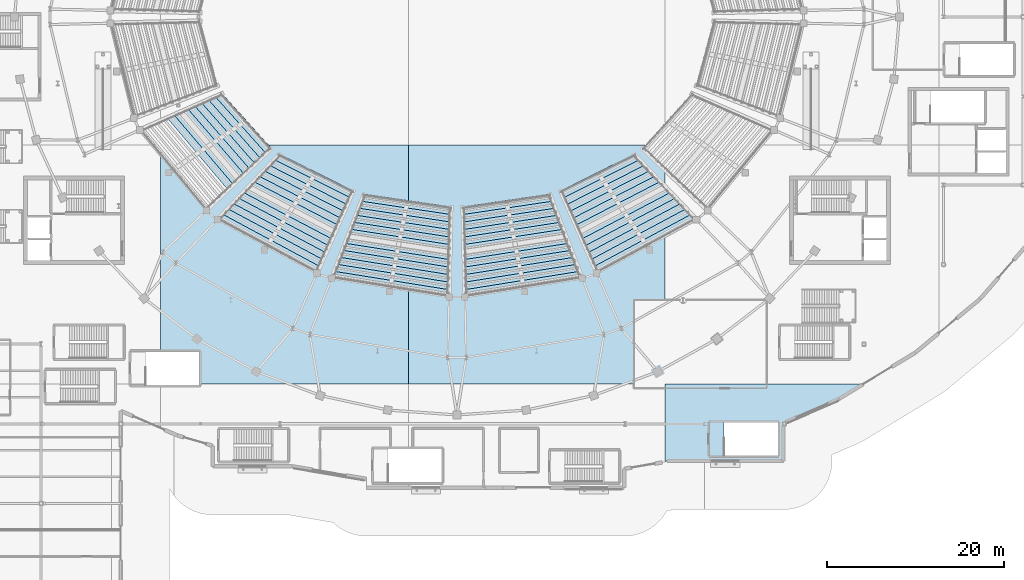
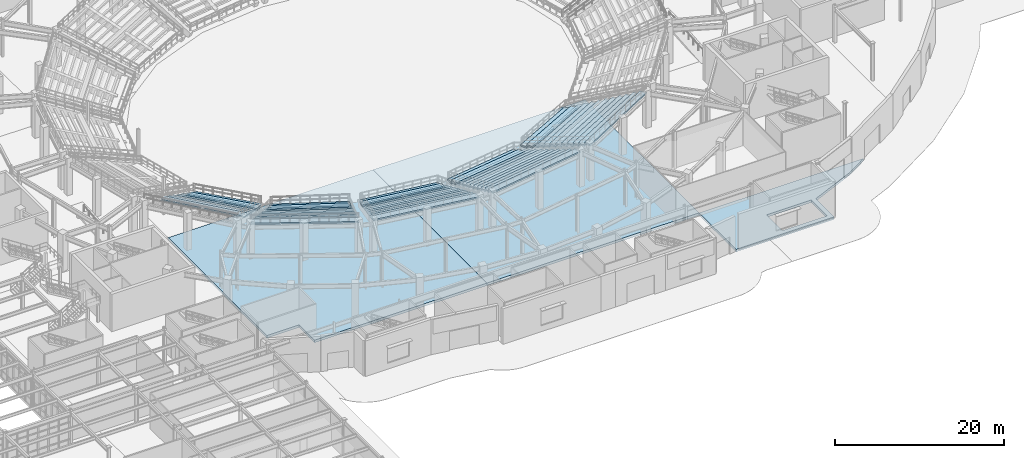
# One storey, part 43 of 79: 59 slabs.
"""IFC4 building model written with IfcOpenShell, lengths in metres."""

from ifc_helpers import new_model, si_unit, direction, frame, origin, place, context, subcontext, project, spatial, polyline, outline, extrude, material, layer, layer_set, type_object, element, save


model = new_model("IFC4")

# Units and contexts
model_context = context("Model", 3, precision=1e-05, world=origin(), true_north=direction((0.0, 1.0)))
body_context = subcontext(model_context, "Body", "Model", "MODEL_VIEW")
ifc_project = project(units=[si_unit("LENGTHUNIT", "METRE"), si_unit("AREAUNIT", "SQUARE_METRE"), si_unit("VOLUMEUNIT", "CUBIC_METRE"), si_unit("PLANEANGLEUNIT", "RADIAN"), si_unit("MASSUNIT", "GRAM", prefix="KILO")], contexts=[model_context])

# Site, building, storey
site_placement = place(None, origin())
site = spatial("IfcSite", under=ifc_project, at=site_placement, CompositionType="ELEMENT")
building_placement = place(site_placement, origin())
building = spatial("IfcBuilding", under=site, at=building_placement, Name="Glasvene Arena", CompositionType="ELEMENT")
storey_placement = place(building_placement, origin())
storey = spatial("IfcBuildingStorey", under=building, at=storey_placement, Name="L00", CompositionType="ELEMENT", Elevation=0.0)

# Slabs
ifc_material_1 = material(Name="Concrete C40/50", Category="concrete")
ifc_layer_1 = layer(ifc_material_1, 0.360107421875)
ifc_layer_set_1 = layer_set([ifc_layer_1], Name="Concrete C40/50")
slab_type_1 = type_object("IfcSlabType", Name="SL-L00-360", PredefinedType="FLOOR", material=ifc_layer_set_1)
slab_1_placement = place(storey_placement, frame((125.3896484375, 26.900390625, -0.360107421875)))
element("IfcSlab", 1, at=slab_1_placement, inside=storey, type_object=slab_type_1, Name="Structural floor slab L00 sector 1-5 (20)", PredefinedType="FLOOR", context=body_context, shape_type="SweptSolid", body=[
    extrude(outline(polyline([(3.51025390625, 0.21484375), (3.51025390625, -4.100341796875), (-9.636962890625, -4.100341796875), (-9.8896484375, -4.174560546875), (-9.8896484375, 4.599609375), (12.553466796875, 4.599609375), (9.8427734375, 2.961181640625), (3.51025390625, 0.21484375)]), holes=[polyline([(2.910400390625, -3.50048828125), (2.910400390625, 0.24951171875), (-3.187744140625, 0.24951171875), (-3.187744140625, -3.50048828125), (2.910400390625, -3.50048828125)])]), origin(), (0.0, 0.0, 1.0), 0.360107421875),
])
slab_2_placement = place(storey_placement, frame((69.300048828125, 41.716552734375, -0.360107421875)))
element("IfcSlab", 2, at=slab_2_placement, inside=storey, type_object=slab_type_1, Name="Structural floor slab L00 sector 2-3 (23)", PredefinedType="FLOOR", context=body_context, shape_type="SweptSolid", body=[
    extrude(outline(polyline([(-10.800048828125, 16.783447265625), (17.199951171875, 16.783447265625), (17.199951171875, -10.216552734375), (-6.400146484375, -10.216552734375), (-6.400146484375, -6.566650390625), (-10.800048828125, -6.566650390625), (-10.800048828125, 16.783447265625)])), origin(), (0.0, 0.0, 1.0), 0.360107421875),
])
slab_3_placement = place(storey_placement, frame((101.0, 45.0, -0.360107421875)))
element("IfcSlab", 3, at=slab_3_placement, inside=storey, type_object=slab_type_1, Name="Structural floor slab L00 sector 2-4 (24)", PredefinedType="FLOOR", context=body_context, shape_type="SweptSolid", body=[
    extrude(outline(polyline([(-14.5, -13.5), (-14.5, 13.5), (14.5, 13.5), (14.5, -13.5), (-14.5, -13.5)])), origin(), (0.0, 0.0, 1.0), 0.360107421875),
])
ifc_material_2 = material(Name="Precast concrete C50/60", Category="concrete")
ifc_layer_2 = layer(ifc_material_2, 0.219970703125)
ifc_layer_set_2 = layer_set([ifc_layer_2], Name="Precast concrete C50/60")
slab_type_2 = type_object("IfcSlabType", Name="SL-TIER-LOW", PredefinedType="USERDEFINED", material=ifc_layer_set_2)
slab_4_placement = place(storey_placement, frame((67.902099609375, 61.00244140625, 0.5400390625)))
element("IfcSlab", 4, at=slab_4_placement, inside=storey, type_object=slab_type_2, Name="Stand lower tier sector 10 row 01", ObjectType="SEATING TIER", PredefinedType="USERDEFINED", context=body_context, shape_type="SweptSolid", body=[
    extrude(outline(polyline([(-2.435791015625, 3.3212890625), (3.1318359375, -2.8564453125), (2.517333984375, -3.443603515625), (-3.213623046875, 2.978271484375), (-2.435791015625, 3.3212890625)])), origin(), (0.0, 0.0, 1.0), 0.219970703125),
])
slab_5_placement = place(storey_placement, frame((67.205810546875, 60.537109375, 0.919921875)))
element("IfcSlab", 5, at=slab_5_placement, inside=storey, type_object=slab_type_2, Name="Stand lower tier sector 10 row 02", ObjectType="SEATING TIER", PredefinedType="USERDEFINED", context=body_context, shape_type="SweptSolid", body=[
    extrude(outline(polyline([(-2.517333984375, 3.443603515625), (3.213623046875, -2.978271484375), (2.59912109375, -3.565673828125), (-3.295166015625, 3.1005859375), (-2.517333984375, 3.443603515625)])), origin(), (0.0, 0.0, 1.0), 0.219970703125),
])
slab_6_placement = place(storey_placement, frame((66.509765625, 60.072021484375, 1.300048828125)))
element("IfcSlab", 6, at=slab_6_placement, inside=storey, type_object=slab_type_2, Name="Stand lower tier sector 10 row 03", ObjectType="SEATING TIER", PredefinedType="USERDEFINED", context=body_context, shape_type="SweptSolid", body=[
    extrude(outline(polyline([(-2.59912109375, 3.565673828125), (3.295166015625, -3.1005859375), (2.6806640625, -3.687744140625), (-3.376708984375, 3.22265625), (-2.59912109375, 3.565673828125)])), origin(), (0.0, 0.0, 1.0), 0.219970703125),
])
slab_7_placement = place(storey_placement, frame((65.813720703125, 59.60693359375, 1.679931640625)))
element("IfcSlab", 7, at=slab_7_placement, inside=storey, type_object=slab_type_2, Name="Stand lower tier sector 10 row 04", ObjectType="SEATING TIER", PredefinedType="USERDEFINED", context=body_context, shape_type="SweptSolid", body=[
    extrude(outline(polyline([(-2.6806640625, 3.687744140625), (3.376708984375, -3.22265625), (2.76220703125, -3.809814453125), (-3.45849609375, 3.3447265625), (-2.6806640625, 3.687744140625)])), origin(), (0.0, 0.0, 1.0), 0.219970703125),
])
slab_8_placement = place(storey_placement, frame((65.117431640625, 59.141845703125, 2.06005859375)))
element("IfcSlab", 8, at=slab_8_placement, inside=storey, type_object=slab_type_2, Name="Stand lower tier sector 10 row 05", ObjectType="SEATING TIER", PredefinedType="USERDEFINED", context=body_context, shape_type="SweptSolid", body=[
    extrude(outline(polyline([(-2.76220703125, 3.809814453125), (3.45849609375, -3.3447265625), (2.84375, -3.93212890625), (-3.539794921875, 3.466796875), (-2.76220703125, 3.809814453125)])), origin(), (0.0, 0.0, 1.0), 0.219970703125),
])
slab_9_placement = place(storey_placement, frame((64.42138671875, 58.6767578125, 2.43994140625)))
element("IfcSlab", 9, at=slab_9_placement, inside=storey, type_object=slab_type_2, Name="Stand lower tier sector 10 row 06", ObjectType="SEATING TIER", PredefinedType="USERDEFINED", context=body_context, shape_type="SweptSolid", body=[
    extrude(outline(polyline([(-2.84375, 3.931884765625), (3.539794921875, -3.467041015625), (2.92529296875, -4.05419921875), (-3.62158203125, 3.5888671875), (-2.84375, 3.931884765625)])), origin(), (0.0, 0.0, 1.0), 0.219970703125),
])
slab_10_placement = place(storey_placement, frame((63.725341796875, 58.211669921875, 2.820068359375)))
element("IfcSlab", 10, at=slab_10_placement, inside=storey, type_object=slab_type_2, Name="Stand lower tier sector 10 row 07", ObjectType="SEATING TIER", PredefinedType="USERDEFINED", context=body_context, shape_type="SweptSolid", body=[
    extrude(outline(polyline([(-2.925537109375, 4.053955078125), (3.621337890625, -3.589111328125), (3.007080078125, -4.17626953125), (-3.703125, 3.7109375), (-2.925537109375, 4.053955078125)])), origin(), (0.0, 0.0, 1.0), 0.219970703125),
])
slab_11_placement = place(storey_placement, frame((63.029296875, 57.746337890625, 3.199951171875)))
element("IfcSlab", 11, at=slab_11_placement, inside=storey, type_object=slab_type_2, Name="Stand lower tier sector 10 row 08", ObjectType="SEATING TIER", PredefinedType="USERDEFINED", context=body_context, shape_type="SweptSolid", body=[
    extrude(outline(polyline([(-3.007080078125, 4.17626953125), (3.703125, -3.7109375), (3.088623046875, -4.29833984375), (-3.784912109375, 3.833251953125), (-3.007080078125, 4.17626953125)])), origin(), (0.0, 0.0, 1.0), 0.219970703125),
])
slab_12_placement = place(storey_placement, frame((75.898193359375, 55.044189453125, 0.5400390625)))
element("IfcSlab", 12, at=slab_12_placement, inside=storey, type_object=slab_type_2, Name="Stand lower tier sector 11 row 01", ObjectType="SEATING TIER", PredefinedType="USERDEFINED", context=body_context, shape_type="SweptSolid", body=[
    extrude(outline(polyline([(-3.933837890625, 2.412109375), (4.39892578125, -1.7158203125), (4.055908203125, -2.493408203125), (-4.52099609375, 1.797607421875), (-3.933837890625, 2.412109375)])), origin(), (0.0, 0.0, 1.0), 0.219970703125),
])
slab_13_placement = place(storey_placement, frame((75.43310546875, 54.34814453125, 0.919921875)))
element("IfcSlab", 13, at=slab_13_placement, inside=storey, type_object=slab_type_2, Name="Stand lower tier sector 11 row 02", ObjectType="SEATING TIER", PredefinedType="USERDEFINED", context=body_context, shape_type="SweptSolid", body=[
    extrude(outline(polyline([(-4.055908203125, 2.49365234375), (4.52099609375, -1.79736328125), (4.177978515625, -2.5751953125), (-4.643310546875, 1.879150390625), (-4.055908203125, 2.49365234375)])), origin(), (0.0, 0.0, 1.0), 0.219970703125),
])
slab_14_placement = place(storey_placement, frame((74.968017578125, 53.65185546875, 1.300048828125)))
element("IfcSlab", 14, at=slab_14_placement, inside=storey, type_object=slab_type_2, Name="Stand lower tier sector 11 row 03", ObjectType="SEATING TIER", PredefinedType="USERDEFINED", context=body_context, shape_type="SweptSolid", body=[
    extrude(outline(polyline([(-4.17822265625, 2.575439453125), (4.64306640625, -1.87890625), (4.300048828125, -2.65673828125), (-4.765380859375, 1.960693359375), (-4.17822265625, 2.575439453125)])), origin(), (0.0, 0.0, 1.0), 0.219970703125),
])
slab_15_placement = place(storey_placement, frame((74.5029296875, 52.955810546875, 1.679931640625)))
element("IfcSlab", 15, at=slab_15_placement, inside=storey, type_object=slab_type_2, Name="Stand lower tier sector 11 row 04", ObjectType="SEATING TIER", PredefinedType="USERDEFINED", context=body_context, shape_type="SweptSolid", body=[
    extrude(outline(polyline([(-4.30029296875, 2.65673828125), (4.76513671875, -1.960693359375), (4.422119140625, -2.73828125), (-4.887451171875, 2.042236328125), (-4.30029296875, 2.65673828125)])), origin(), (0.0, 0.0, 1.0), 0.219970703125),
])
slab_16_placement = place(storey_placement, frame((74.03759765625, 52.259765625, 2.06005859375)))
element("IfcSlab", 16, at=slab_16_placement, inside=storey, type_object=slab_type_2, Name="Stand lower tier sector 11 row 05", ObjectType="SEATING TIER", PredefinedType="USERDEFINED", context=body_context, shape_type="SweptSolid", body=[
    extrude(outline(polyline([(-4.422119140625, 2.73828125), (4.887451171875, -2.042236328125), (4.54443359375, -2.820068359375), (-5.00927734375, 2.123779296875), (-4.422119140625, 2.73828125)])), origin(), (0.0, 0.0, 1.0), 0.219970703125),
])
slab_17_placement = place(storey_placement, frame((73.572509765625, 51.563720703125, 2.43994140625)))
element("IfcSlab", 17, at=slab_17_placement, inside=storey, type_object=slab_type_2, Name="Stand lower tier sector 11 row 06", ObjectType="SEATING TIER", PredefinedType="USERDEFINED", context=body_context, shape_type="SweptSolid", body=[
    extrude(outline(polyline([(-4.544189453125, 2.81982421875), (5.009521484375, -2.1240234375), (4.66650390625, -2.901611328125), (-5.131591796875, 2.205322265625), (-4.544189453125, 2.81982421875)])), origin(), (0.0, 0.0, 1.0), 0.219970703125),
])
slab_18_placement = place(storey_placement, frame((73.107421875, 50.867431640625, 2.820068359375)))
element("IfcSlab", 18, at=slab_18_placement, inside=storey, type_object=slab_type_2, Name="Stand lower tier sector 11 row 07", ObjectType="SEATING TIER", PredefinedType="USERDEFINED", context=body_context, shape_type="SweptSolid", body=[
    extrude(outline(polyline([(-4.66650390625, 2.901611328125), (5.131591796875, -2.205322265625), (4.78857421875, -2.98291015625), (-5.253662109375, 2.287109375), (-4.66650390625, 2.901611328125)])), origin(), (0.0, 0.0, 1.0), 0.219970703125),
])
slab_19_placement = place(storey_placement, frame((72.642333984375, 50.17138671875, 3.199951171875)))
element("IfcSlab", 19, at=slab_19_placement, inside=storey, type_object=slab_type_2, Name="Stand lower tier sector 11 row 08", ObjectType="SEATING TIER", PredefinedType="USERDEFINED", context=body_context, shape_type="SweptSolid", body=[
    extrude(outline(polyline([(-4.78857421875, 2.983154296875), (5.253662109375, -2.286865234375), (4.91064453125, -3.064697265625), (-5.3759765625, 2.36865234375), (-4.78857421875, 2.983154296875)])), origin(), (0.0, 0.0, 1.0), 0.219970703125),
])
slab_20_placement = place(storey_placement, frame((72.17724609375, 49.475341796875, 3.580078125)))
element("IfcSlab", 20, at=slab_20_placement, inside=storey, type_object=slab_type_2, Name="Stand lower tier sector 11 row 09", ObjectType="SEATING TIER", PredefinedType="USERDEFINED", context=body_context, shape_type="SweptSolid", body=[
    extrude(outline(polyline([(-4.910888671875, 3.064697265625), (5.375732421875, -2.36865234375), (5.032958984375, -3.146484375), (-5.498046875, 2.4501953125), (-4.910888671875, 3.064697265625)])), origin(), (0.0, 0.0, 1.0), 0.219970703125),
])
slab_21_placement = place(storey_placement, frame((71.712158203125, 48.779052734375, 3.9599609375)))
element("IfcSlab", 21, at=slab_21_placement, inside=storey, type_object=slab_type_2, Name="Stand lower tier sector 11 row 10", ObjectType="SEATING TIER", PredefinedType="USERDEFINED", context=body_context, shape_type="SweptSolid", body=[
    extrude(outline(polyline([(-5.032958984375, 3.146484375), (5.498046875, -2.4501953125), (5.155029296875, -3.227783203125), (-5.620361328125, 2.531982421875), (-5.032958984375, 3.146484375)])), origin(), (0.0, 0.0, 1.0), 0.219970703125),
])
slab_22_placement = place(storey_placement, frame((71.246826171875, 48.0830078125, 4.340087890625)))
element("IfcSlab", 22, at=slab_22_placement, inside=storey, type_object=slab_type_2, Name="Stand lower tier sector 11 row 11", ObjectType="SEATING TIER", PredefinedType="USERDEFINED", context=body_context, shape_type="SweptSolid", body=[
    extrude(outline(polyline([(-5.155029296875, 3.22802734375), (5.620361328125, -2.53173828125), (5.277099609375, -3.3095703125), (-5.7421875, 2.613525390625), (-5.155029296875, 3.22802734375)])), origin(), (0.0, 0.0, 1.0), 0.219970703125),
])
slab_23_placement = place(storey_placement, frame((70.78173828125, 47.386962890625, 4.719970703125)))
element("IfcSlab", 23, at=slab_23_placement, inside=storey, type_object=slab_type_2, Name="Stand lower tier sector 11 row 12", ObjectType="SEATING TIER", PredefinedType="USERDEFINED", context=body_context, shape_type="SweptSolid", body=[
    extrude(outline(polyline([(-5.277099609375, 3.3095703125), (5.7421875, -2.613525390625), (5.399169921875, -3.39111328125), (-5.8642578125, 2.69482421875), (-5.277099609375, 3.3095703125)])), origin(), (0.0, 0.0, 1.0), 0.219970703125),
])
slab_24_placement = place(storey_placement, frame((86.345703125, 51.81982421875, 0.5400390625)))
element("IfcSlab", 24, at=slab_24_placement, inside=storey, type_object=slab_type_2, Name="Stand lower tier sector 12 row 01", ObjectType="SEATING TIER", PredefinedType="USERDEFINED", context=body_context, shape_type="SweptSolid", body=[
    extrude(outline(polyline([(-4.832763671875, 1.13525390625), (4.996337890625, -0.314208984375), (4.97705078125, -1.1640625), (-5.14013671875, 0.3427734375), (-4.832763671875, 1.13525390625)])), origin(), (0.0, 0.0, 1.0), 0.219970703125),
])
slab_25_placement = place(storey_placement, frame((86.182373046875, 50.99853515625, 0.919921875)))
element("IfcSlab", 25, at=slab_25_placement, inside=storey, type_object=slab_type_2, Name="Stand lower tier sector 12 row 02", ObjectType="SEATING TIER", PredefinedType="USERDEFINED", context=body_context, shape_type="SweptSolid", body=[
    extrude(outline(polyline([(-4.976806640625, 1.1640625), (5.140380859375, -0.3427734375), (5.12109375, -1.192626953125), (-5.2841796875, 0.37158203125), (-4.976806640625, 1.1640625)])), origin(), (0.0, 0.0, 1.0), 0.219970703125),
])
slab_26_placement = place(storey_placement, frame((86.01904296875, 50.177490234375, 1.300048828125)))
element("IfcSlab", 26, at=slab_26_placement, inside=storey, type_object=slab_type_2, Name="Stand lower tier sector 12 row 03", ObjectType="SEATING TIER", PredefinedType="USERDEFINED", context=body_context, shape_type="SweptSolid", body=[
    extrude(outline(polyline([(-5.120849609375, 1.192626953125), (5.284423828125, -0.37158203125), (5.26513671875, -1.22119140625), (-5.42822265625, 0.400146484375), (-5.120849609375, 1.192626953125)])), origin(), (0.0, 0.0, 1.0), 0.219970703125),
])
slab_27_placement = place(storey_placement, frame((85.855712890625, 49.3564453125, 1.679931640625)))
element("IfcSlab", 27, at=slab_27_placement, inside=storey, type_object=slab_type_2, Name="Stand lower tier sector 12 row 04", ObjectType="SEATING TIER", PredefinedType="USERDEFINED", context=body_context, shape_type="SweptSolid", body=[
    extrude(outline(polyline([(-5.264892578125, 1.22119140625), (5.428466796875, -0.400146484375), (5.4091796875, -1.25), (-5.572265625, 0.4287109375), (-5.264892578125, 1.22119140625)])), origin(), (0.0, 0.0, 1.0), 0.219970703125),
])
slab_28_placement = place(storey_placement, frame((85.6923828125, 48.53515625, 2.06005859375)))
element("IfcSlab", 28, at=slab_28_placement, inside=storey, type_object=slab_type_2, Name="Stand lower tier sector 12 row 05", ObjectType="SEATING TIER", PredefinedType="USERDEFINED", context=body_context, shape_type="SweptSolid", body=[
    extrude(outline(polyline([(-5.408935546875, 1.25), (5.572509765625, -0.4287109375), (5.55322265625, -1.278564453125), (-5.71630859375, 0.45751953125), (-5.408935546875, 1.25)])), origin(), (0.0, 0.0, 1.0), 0.219970703125),
])
slab_29_placement = place(storey_placement, frame((85.529052734375, 47.714111328125, 2.43994140625)))
element("IfcSlab", 29, at=slab_29_placement, inside=storey, type_object=slab_type_2, Name="Stand lower tier sector 12 row 06", ObjectType="SEATING TIER", PredefinedType="USERDEFINED", context=body_context, shape_type="SweptSolid", body=[
    extrude(outline(polyline([(-5.552978515625, 1.278564453125), (5.716552734375, -0.45751953125), (5.697265625, -1.307373046875), (-5.8603515625, 0.486083984375), (-5.552978515625, 1.278564453125)])), origin(), (0.0, 0.0, 1.0), 0.219970703125),
])
slab_30_placement = place(storey_placement, frame((85.36572265625, 46.89306640625, 2.820068359375)))
element("IfcSlab", 30, at=slab_30_placement, inside=storey, type_object=slab_type_2, Name="Stand lower tier sector 12 row 07", ObjectType="SEATING TIER", PredefinedType="USERDEFINED", context=body_context, shape_type="SweptSolid", body=[
    extrude(outline(polyline([(-5.697021484375, 1.30712890625), (5.860595703125, -0.486328125), (5.84130859375, -1.3359375), (-6.004638671875, 0.5146484375), (-5.697021484375, 1.30712890625)])), origin(), (0.0, 0.0, 1.0), 0.219970703125),
])
slab_31_placement = place(storey_placement, frame((85.202392578125, 46.07177734375, 3.199951171875)))
element("IfcSlab", 31, at=slab_31_placement, inside=storey, type_object=slab_type_2, Name="Stand lower tier sector 12 row 08", ObjectType="SEATING TIER", PredefinedType="USERDEFINED", context=body_context, shape_type="SweptSolid", body=[
    extrude(outline(polyline([(-5.84130859375, 1.3359375), (6.004638671875, -0.5146484375), (5.9853515625, -1.364501953125), (-6.148681640625, 0.54345703125), (-5.84130859375, 1.3359375)])), origin(), (0.0, 0.0, 1.0), 0.219970703125),
])
slab_32_placement = place(storey_placement, frame((85.0390625, 45.250732421875, 3.580078125)))
element("IfcSlab", 32, at=slab_32_placement, inside=storey, type_object=slab_type_2, Name="Stand lower tier sector 12 row 09", ObjectType="SEATING TIER", PredefinedType="USERDEFINED", context=body_context, shape_type="SweptSolid", body=[
    extrude(outline(polyline([(-5.9853515625, 1.364501953125), (6.148681640625, -0.54345703125), (6.12939453125, -1.393310546875), (-6.29248046875, 0.572021484375), (-5.9853515625, 1.364501953125)])), origin(), (0.0, 0.0, 1.0), 0.219970703125),
])
slab_33_placement = place(storey_placement, frame((84.875732421875, 44.4296875, 3.9599609375)))
element("IfcSlab", 33, at=slab_33_placement, inside=storey, type_object=slab_type_2, Name="Stand lower tier sector 12 row 10", ObjectType="SEATING TIER", PredefinedType="USERDEFINED", context=body_context, shape_type="SweptSolid", body=[
    extrude(outline(polyline([(-6.129150390625, 1.39306640625), (6.292724609375, -0.572265625), (6.2734375, -1.421875), (-6.4365234375, 0.6005859375), (-6.129150390625, 1.39306640625)])), origin(), (0.0, 0.0, 1.0), 0.219970703125),
])
slab_34_placement = place(storey_placement, frame((84.71240234375, 43.6083984375, 4.340087890625)))
element("IfcSlab", 34, at=slab_34_placement, inside=storey, type_object=slab_type_2, Name="Stand lower tier sector 12 row 11", ObjectType="SEATING TIER", PredefinedType="USERDEFINED", context=body_context, shape_type="SweptSolid", body=[
    extrude(outline(polyline([(-6.273193359375, 1.421875), (6.436767578125, -0.6005859375), (6.41748046875, -1.450439453125), (-6.580810546875, 0.62939453125), (-6.273193359375, 1.421875)])), origin(), (0.0, 0.0, 1.0), 0.219970703125),
])
slab_35_placement = place(storey_placement, frame((84.549072265625, 42.787353515625, 4.719970703125)))
element("IfcSlab", 35, at=slab_35_placement, inside=storey, type_object=slab_type_2, Name="Stand lower tier sector 12 row 12", ObjectType="SEATING TIER", PredefinedType="USERDEFINED", context=body_context, shape_type="SweptSolid", body=[
    extrude(outline(polyline([(-6.41748046875, 1.450439453125), (6.580810546875, -0.62939453125), (6.5615234375, -1.479248046875), (-6.724853515625, 0.657958984375), (-6.41748046875, 1.450439453125)])), origin(), (0.0, 0.0, 1.0), 0.219970703125),
])
slab_36_placement = place(storey_placement, frame((97.654296875, 51.81982421875, 0.5400390625)))
element("IfcSlab", 36, at=slab_36_placement, inside=storey, type_object=slab_type_2, Name="Stand lower tier sector 13 row 01", ObjectType="SEATING TIER", PredefinedType="USERDEFINED", context=body_context, shape_type="SweptSolid", body=[
    extrude(outline(polyline([(-4.996337890625, -0.314208984375), (4.832763671875, 1.13525390625), (5.14013671875, 0.3427734375), (-4.97705078125, -1.1640625), (-4.996337890625, -0.314208984375)])), origin(), (0.0, 0.0, 1.0), 0.219970703125),
])
slab_37_placement = place(storey_placement, frame((97.817626953125, 50.99853515625, 0.919921875)))
element("IfcSlab", 37, at=slab_37_placement, inside=storey, type_object=slab_type_2, Name="Stand lower tier sector 13 row 02", ObjectType="SEATING TIER", PredefinedType="USERDEFINED", context=body_context, shape_type="SweptSolid", body=[
    extrude(outline(polyline([(-5.140380859375, -0.3427734375), (4.976806640625, 1.1640625), (5.2841796875, 0.37158203125), (-5.12109375, -1.192626953125), (-5.140380859375, -0.3427734375)])), origin(), (0.0, 0.0, 1.0), 0.219970703125),
])
slab_38_placement = place(storey_placement, frame((97.98095703125, 50.177490234375, 1.300048828125)))
element("IfcSlab", 38, at=slab_38_placement, inside=storey, type_object=slab_type_2, Name="Stand lower tier sector 13 row 03", ObjectType="SEATING TIER", PredefinedType="USERDEFINED", context=body_context, shape_type="SweptSolid", body=[
    extrude(outline(polyline([(-5.284423828125, -0.37158203125), (5.120849609375, 1.192626953125), (5.42822265625, 0.400146484375), (-5.26513671875, -1.22119140625), (-5.284423828125, -0.37158203125)])), origin(), (0.0, 0.0, 1.0), 0.219970703125),
])
slab_39_placement = place(storey_placement, frame((98.144287109375, 49.3564453125, 1.679931640625)))
element("IfcSlab", 39, at=slab_39_placement, inside=storey, type_object=slab_type_2, Name="Stand lower tier sector 13 row 04", ObjectType="SEATING TIER", PredefinedType="USERDEFINED", context=body_context, shape_type="SweptSolid", body=[
    extrude(outline(polyline([(-5.428466796875, -0.400146484375), (5.264892578125, 1.22119140625), (5.572265625, 0.4287109375), (-5.4091796875, -1.25), (-5.428466796875, -0.400146484375)])), origin(), (0.0, 0.0, 1.0), 0.219970703125),
])
slab_40_placement = place(storey_placement, frame((98.3076171875, 48.53515625, 2.06005859375)))
element("IfcSlab", 40, at=slab_40_placement, inside=storey, type_object=slab_type_2, Name="Stand lower tier sector 13 row 05", ObjectType="SEATING TIER", PredefinedType="USERDEFINED", context=body_context, shape_type="SweptSolid", body=[
    extrude(outline(polyline([(-5.572509765625, -0.4287109375), (5.408935546875, 1.25), (5.71630859375, 0.45751953125), (-5.55322265625, -1.278564453125), (-5.572509765625, -0.4287109375)])), origin(), (0.0, 0.0, 1.0), 0.219970703125),
])
slab_41_placement = place(storey_placement, frame((98.470947265625, 47.714111328125, 2.43994140625)))
element("IfcSlab", 41, at=slab_41_placement, inside=storey, type_object=slab_type_2, Name="Stand lower tier sector 13 row 06", ObjectType="SEATING TIER", PredefinedType="USERDEFINED", context=body_context, shape_type="SweptSolid", body=[
    extrude(outline(polyline([(-5.716552734375, -0.45751953125), (5.552978515625, 1.278564453125), (5.8603515625, 0.486083984375), (-5.697265625, -1.307373046875), (-5.716552734375, -0.45751953125)])), origin(), (0.0, 0.0, 1.0), 0.219970703125),
])
slab_42_placement = place(storey_placement, frame((98.63427734375, 46.89306640625, 2.820068359375)))
element("IfcSlab", 42, at=slab_42_placement, inside=storey, type_object=slab_type_2, Name="Stand lower tier sector 13 row 07", ObjectType="SEATING TIER", PredefinedType="USERDEFINED", context=body_context, shape_type="SweptSolid", body=[
    extrude(outline(polyline([(-5.860595703125, -0.486328125), (5.697021484375, 1.30712890625), (6.004638671875, 0.5146484375), (-5.84130859375, -1.3359375), (-5.860595703125, -0.486328125)])), origin(), (0.0, 0.0, 1.0), 0.219970703125),
])
slab_43_placement = place(storey_placement, frame((98.797607421875, 46.07177734375, 3.199951171875)))
element("IfcSlab", 43, at=slab_43_placement, inside=storey, type_object=slab_type_2, Name="Stand lower tier sector 13 row 08", ObjectType="SEATING TIER", PredefinedType="USERDEFINED", context=body_context, shape_type="SweptSolid", body=[
    extrude(outline(polyline([(-6.004638671875, -0.5146484375), (5.84130859375, 1.3359375), (6.148681640625, 0.54345703125), (-5.9853515625, -1.364501953125), (-6.004638671875, -0.5146484375)])), origin(), (0.0, 0.0, 1.0), 0.219970703125),
])
slab_44_placement = place(storey_placement, frame((98.9609375, 45.250732421875, 3.580078125)))
element("IfcSlab", 44, at=slab_44_placement, inside=storey, type_object=slab_type_2, Name="Stand lower tier sector 13 row 09", ObjectType="SEATING TIER", PredefinedType="USERDEFINED", context=body_context, shape_type="SweptSolid", body=[
    extrude(outline(polyline([(-6.148681640625, -0.54345703125), (5.9853515625, 1.364501953125), (6.29248046875, 0.572021484375), (-6.12939453125, -1.393310546875), (-6.148681640625, -0.54345703125)])), origin(), (0.0, 0.0, 1.0), 0.219970703125),
])
slab_45_placement = place(storey_placement, frame((99.124267578125, 44.4296875, 3.9599609375)))
element("IfcSlab", 45, at=slab_45_placement, inside=storey, type_object=slab_type_2, Name="Stand lower tier sector 13 row 10", ObjectType="SEATING TIER", PredefinedType="USERDEFINED", context=body_context, shape_type="SweptSolid", body=[
    extrude(outline(polyline([(-6.292724609375, -0.572265625), (6.129150390625, 1.39306640625), (6.4365234375, 0.6005859375), (-6.2734375, -1.421875), (-6.292724609375, -0.572265625)])), origin(), (0.0, 0.0, 1.0), 0.219970703125),
])
slab_46_placement = place(storey_placement, frame((99.28759765625, 43.6083984375, 4.340087890625)))
element("IfcSlab", 46, at=slab_46_placement, inside=storey, type_object=slab_type_2, Name="Stand lower tier sector 13 row 11", ObjectType="SEATING TIER", PredefinedType="USERDEFINED", context=body_context, shape_type="SweptSolid", body=[
    extrude(outline(polyline([(-6.436767578125, -0.6005859375), (6.273193359375, 1.421875), (6.580810546875, 0.62939453125), (-6.41748046875, -1.450439453125), (-6.436767578125, -0.6005859375)])), origin(), (0.0, 0.0, 1.0), 0.219970703125),
])
slab_47_placement = place(storey_placement, frame((99.450927734375, 42.787353515625, 4.719970703125)))
element("IfcSlab", 47, at=slab_47_placement, inside=storey, type_object=slab_type_2, Name="Stand lower tier sector 13 row 12", ObjectType="SEATING TIER", PredefinedType="USERDEFINED", context=body_context, shape_type="SweptSolid", body=[
    extrude(outline(polyline([(-6.580810546875, -0.62939453125), (6.41748046875, 1.450439453125), (6.724853515625, 0.657958984375), (-6.5615234375, -1.479248046875), (-6.580810546875, -0.62939453125)])), origin(), (0.0, 0.0, 1.0), 0.219970703125),
])
slab_48_placement = place(storey_placement, frame((108.101806640625, 55.044189453125, 0.5400390625)))
element("IfcSlab", 48, at=slab_48_placement, inside=storey, type_object=slab_type_2, Name="Stand lower tier sector 14 row 01", ObjectType="SEATING TIER", PredefinedType="USERDEFINED", context=body_context, shape_type="SweptSolid", body=[
    extrude(outline(polyline([(-4.39892578125, -1.7158203125), (3.933837890625, 2.412109375), (4.52099609375, 1.797607421875), (-4.055908203125, -2.493408203125), (-4.39892578125, -1.7158203125)])), origin(), (0.0, 0.0, 1.0), 0.219970703125),
])
slab_49_placement = place(storey_placement, frame((108.56689453125, 54.34814453125, 0.919921875)))
element("IfcSlab", 49, at=slab_49_placement, inside=storey, type_object=slab_type_2, Name="Stand lower tier sector 14 row 02", ObjectType="SEATING TIER", PredefinedType="USERDEFINED", context=body_context, shape_type="SweptSolid", body=[
    extrude(outline(polyline([(-4.52099609375, -1.79736328125), (4.055908203125, 2.49365234375), (4.643310546875, 1.879150390625), (-4.177978515625, -2.5751953125), (-4.52099609375, -1.79736328125)])), origin(), (0.0, 0.0, 1.0), 0.219970703125),
])
slab_50_placement = place(storey_placement, frame((109.031982421875, 53.65185546875, 1.300048828125)))
element("IfcSlab", 50, at=slab_50_placement, inside=storey, type_object=slab_type_2, Name="Stand lower tier sector 14 row 03", ObjectType="SEATING TIER", PredefinedType="USERDEFINED", context=body_context, shape_type="SweptSolid", body=[
    extrude(outline(polyline([(-4.64306640625, -1.87890625), (4.17822265625, 2.575439453125), (4.765380859375, 1.960693359375), (-4.300048828125, -2.65673828125), (-4.64306640625, -1.87890625)])), origin(), (0.0, 0.0, 1.0), 0.219970703125),
])
slab_51_placement = place(storey_placement, frame((109.4970703125, 52.955810546875, 1.679931640625)))
element("IfcSlab", 51, at=slab_51_placement, inside=storey, type_object=slab_type_2, Name="Stand lower tier sector 14 row 04", ObjectType="SEATING TIER", PredefinedType="USERDEFINED", context=body_context, shape_type="SweptSolid", body=[
    extrude(outline(polyline([(-4.76513671875, -1.960693359375), (4.30029296875, 2.65673828125), (4.887451171875, 2.042236328125), (-4.422119140625, -2.73828125), (-4.76513671875, -1.960693359375)])), origin(), (0.0, 0.0, 1.0), 0.219970703125),
])
slab_52_placement = place(storey_placement, frame((109.96240234375, 52.259765625, 2.06005859375)))
element("IfcSlab", 52, at=slab_52_placement, inside=storey, type_object=slab_type_2, Name="Stand lower tier sector 14 row 05", ObjectType="SEATING TIER", PredefinedType="USERDEFINED", context=body_context, shape_type="SweptSolid", body=[
    extrude(outline(polyline([(-4.887451171875, -2.042236328125), (4.422119140625, 2.73828125), (5.00927734375, 2.123779296875), (-4.54443359375, -2.820068359375), (-4.887451171875, -2.042236328125)])), origin(), (0.0, 0.0, 1.0), 0.219970703125),
])
slab_53_placement = place(storey_placement, frame((110.427490234375, 51.563720703125, 2.43994140625)))
element("IfcSlab", 53, at=slab_53_placement, inside=storey, type_object=slab_type_2, Name="Stand lower tier sector 14 row 06", ObjectType="SEATING TIER", PredefinedType="USERDEFINED", context=body_context, shape_type="SweptSolid", body=[
    extrude(outline(polyline([(-5.009521484375, -2.1240234375), (4.544189453125, 2.81982421875), (5.131591796875, 2.205322265625), (-4.66650390625, -2.901611328125), (-5.009521484375, -2.1240234375)])), origin(), (0.0, 0.0, 1.0), 0.219970703125),
])
slab_54_placement = place(storey_placement, frame((110.892578125, 50.867431640625, 2.820068359375)))
element("IfcSlab", 54, at=slab_54_placement, inside=storey, type_object=slab_type_2, Name="Stand lower tier sector 14 row 07", ObjectType="SEATING TIER", PredefinedType="USERDEFINED", context=body_context, shape_type="SweptSolid", body=[
    extrude(outline(polyline([(-5.131591796875, -2.205322265625), (4.66650390625, 2.901611328125), (5.253662109375, 2.287109375), (-4.78857421875, -2.98291015625), (-5.131591796875, -2.205322265625)])), origin(), (0.0, 0.0, 1.0), 0.219970703125),
])
slab_55_placement = place(storey_placement, frame((111.357666015625, 50.17138671875, 3.199951171875)))
element("IfcSlab", 55, at=slab_55_placement, inside=storey, type_object=slab_type_2, Name="Stand lower tier sector 14 row 08", ObjectType="SEATING TIER", PredefinedType="USERDEFINED", context=body_context, shape_type="SweptSolid", body=[
    extrude(outline(polyline([(-5.253662109375, -2.286865234375), (4.78857421875, 2.983154296875), (5.3759765625, 2.36865234375), (-4.91064453125, -3.064697265625), (-5.253662109375, -2.286865234375)])), origin(), (0.0, 0.0, 1.0), 0.219970703125),
])
slab_56_placement = place(storey_placement, frame((111.82275390625, 49.475341796875, 3.580078125)))
element("IfcSlab", 56, at=slab_56_placement, inside=storey, type_object=slab_type_2, Name="Stand lower tier sector 14 row 09", ObjectType="SEATING TIER", PredefinedType="USERDEFINED", context=body_context, shape_type="SweptSolid", body=[
    extrude(outline(polyline([(-5.375732421875, -2.36865234375), (4.910888671875, 3.064697265625), (5.498046875, 2.4501953125), (-5.032958984375, -3.146484375), (-5.375732421875, -2.36865234375)])), origin(), (0.0, 0.0, 1.0), 0.219970703125),
])
slab_57_placement = place(storey_placement, frame((112.287841796875, 48.779052734375, 3.9599609375)))
element("IfcSlab", 57, at=slab_57_placement, inside=storey, type_object=slab_type_2, Name="Stand lower tier sector 14 row 10", ObjectType="SEATING TIER", PredefinedType="USERDEFINED", context=body_context, shape_type="SweptSolid", body=[
    extrude(outline(polyline([(-5.498046875, -2.4501953125), (5.032958984375, 3.146484375), (5.620361328125, 2.531982421875), (-5.155029296875, -3.227783203125), (-5.498046875, -2.4501953125)])), origin(), (0.0, 0.0, 1.0), 0.219970703125),
])
slab_58_placement = place(storey_placement, frame((112.753173828125, 48.0830078125, 4.340087890625)))
element("IfcSlab", 58, at=slab_58_placement, inside=storey, type_object=slab_type_2, Name="Stand lower tier sector 14 row 11", ObjectType="SEATING TIER", PredefinedType="USERDEFINED", context=body_context, shape_type="SweptSolid", body=[
    extrude(outline(polyline([(-5.620361328125, -2.53173828125), (5.155029296875, 3.22802734375), (5.7421875, 2.613525390625), (-5.277099609375, -3.3095703125), (-5.620361328125, -2.53173828125)])), origin(), (0.0, 0.0, 1.0), 0.219970703125),
])
slab_59_placement = place(storey_placement, frame((113.21826171875, 47.386962890625, 4.719970703125)))
element("IfcSlab", 59, at=slab_59_placement, inside=storey, type_object=slab_type_2, Name="Stand lower tier sector 14 row 12", ObjectType="SEATING TIER", PredefinedType="USERDEFINED", context=body_context, shape_type="SweptSolid", body=[
    extrude(outline(polyline([(-5.7421875, -2.613525390625), (5.277099609375, 3.3095703125), (5.8642578125, 2.69482421875), (-5.399169921875, -3.39111328125), (-5.7421875, -2.613525390625)])), origin(), (0.0, 0.0, 1.0), 0.219970703125),
])

save(model, "model.ifc")
